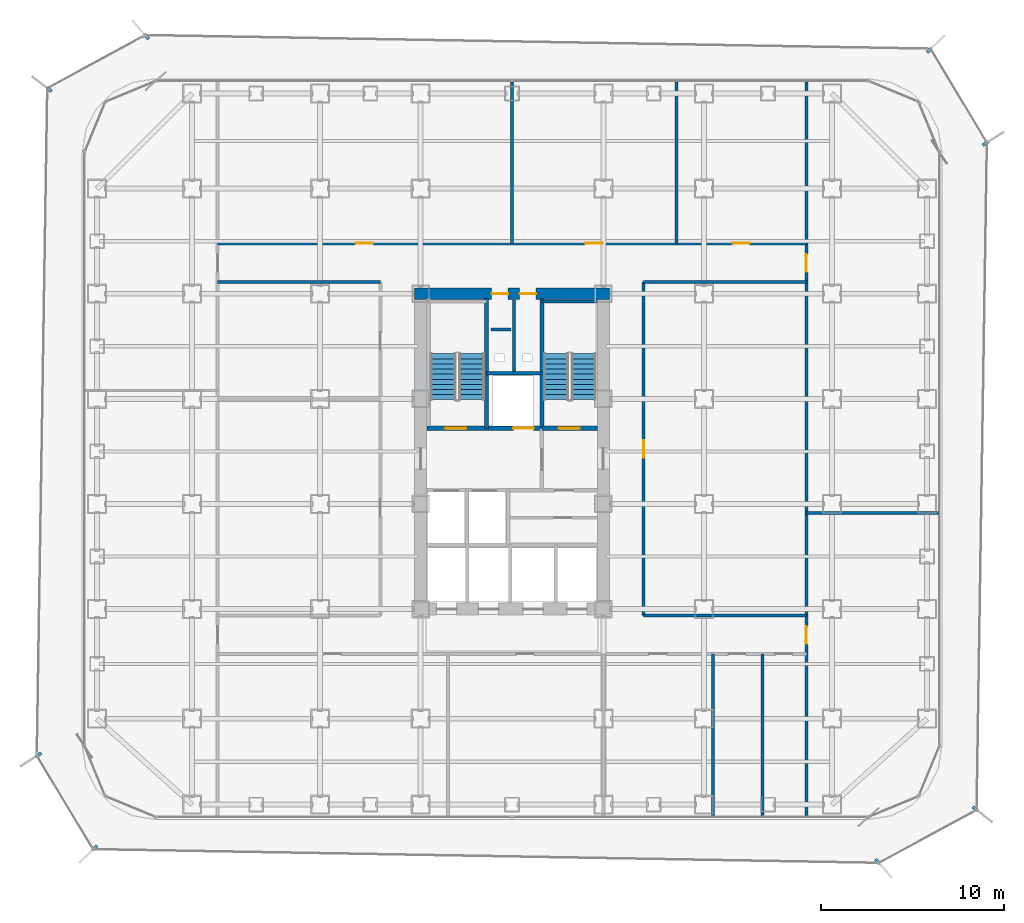
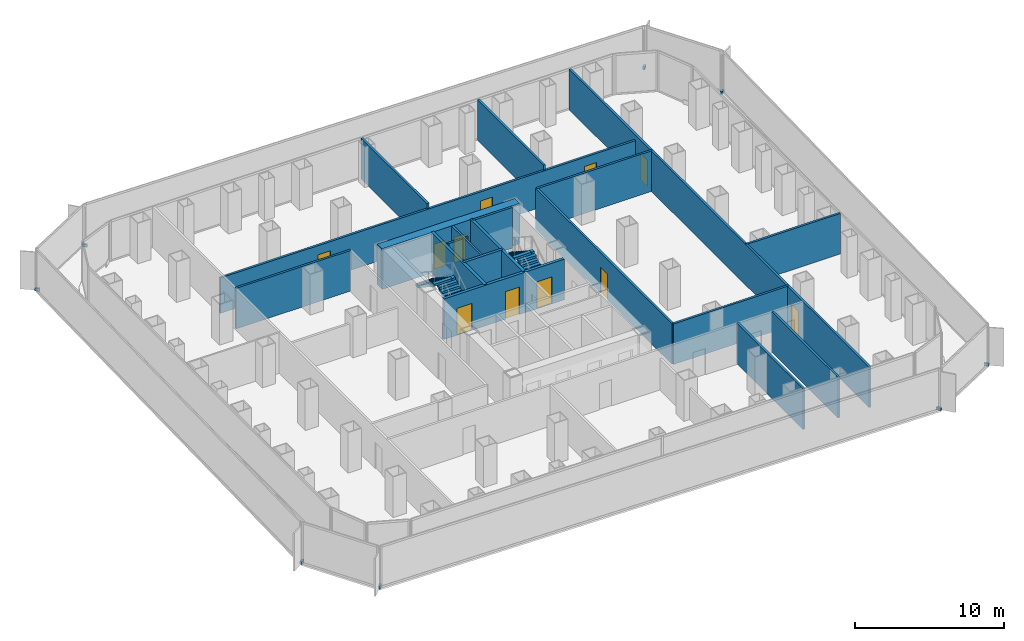
# One storey, part 18 of 21: 20 walls, 11 doors, 8 discrete accessories, 4 stair flights, 11 openings, 2 elements without a shape of their own.
"""IFC4 building model written with IfcOpenShell, lengths in metres."""

import ifcopenshell
import ifcopenshell.guid

model = None  # the IFC model being written
_history = None  # IfcOwnerHistory: only IFC2X3 demands one
_inside = {}  # id of a spatial element -> (the spatial element, [elements in it])
_under = {}  # id of a project, library or spatial element -> (it, [spatial elements below it])
_declared = {}  # id of a project -> (the project, [libraries it declares])
_typed = {}  # id of a type object -> (the type object, [elements of that type])
_made_of = {}  # id of a material, layer set ... -> (it, [elements and type objects made of it])


def new_model(schema):
    """Start an empty IFC model of exactly this schema.

    Asked for "IFC4X3", IfcOpenShell would pick the latest addendum, in which some entities
    have other attributes; the version numbers below select the first issue.
    IFC2X3 requires an IfcOwnerHistory on every rooted entity: one is made here for all.
    """
    global model, _history
    if schema == "IFC4X3":
        model = ifcopenshell.file(schema_version=(4, 3, 0, 0))
    else:
        model = ifcopenshell.file(schema=schema)
    _inside.clear()
    _under.clear()
    _declared.clear()
    _typed.clear()
    _made_of.clear()
    _history = None
    if model.schema == "IFC2X3":
        org = make("IfcOrganization", Name="unknown")
        user = make(
            "IfcPersonAndOrganization",
            ThePerson=make("IfcPerson", FamilyName="unknown"),
            TheOrganization=org,
        )
        app = make(
            "IfcApplication",
            ApplicationDeveloper=org,
            Version="unknown",
            ApplicationFullName="unknown",
            ApplicationIdentifier="unknown",
        )
        _history = make(
            "IfcOwnerHistory",
            OwningUser=user,
            OwningApplication=app,
            ChangeAction="ADDED",
            CreationDate=0,
        )
    return model


def make(cls, **values):
    """One entity of the class cls with the attributes given. An attribute that is None is left unset."""
    return model.create_entity(
        cls, **{name: value for name, value in values.items() if value is not None}
    )


def rooted(cls, **values):
    """An entity with a GlobalId (a new one), such as an element, a storey or a relation."""
    return make(cls, GlobalId=ifcopenshell.guid.new(), OwnerHistory=_history, **values)


def si_unit(unit_type, name, prefix=None):
    """IfcSIUnit, for example si_unit("LENGTHUNIT", "METRE", prefix="MILLI")."""
    return make("IfcSIUnit", UnitType=unit_type, Prefix=prefix, Name=name)


def assignment(units):
    """IfcUnitAssignment: the units of a project."""
    return None if units is None else make("IfcUnitAssignment", Units=units)


def point(xyz):
    """IfcCartesianPoint."""
    return None if xyz is None else make("IfcCartesianPoint", Coordinates=xyz)


def direction(xyz):
    """IfcDirection."""
    return None if xyz is None else make("IfcDirection", DirectionRatios=xyz)


def frame(location, z_axis=None, x_axis=None):
    """IfcAxis2Placement3D, a coordinate frame: its origin and axes. An axis left out is left unset."""
    return make(
        "IfcAxis2Placement3D",
        Location=point(location),
        Axis=direction(z_axis),
        RefDirection=direction(x_axis),
    )


def frame_2d(location, x_axis=None):
    """IfcAxis2Placement2D, a coordinate frame in the plane: its origin and x axis."""
    return make(
        "IfcAxis2Placement2D", Location=point(location), RefDirection=direction(x_axis)
    )


def origin():
    """The frame at (0, 0, 0) with its axes left unset."""
    return frame((0.0, 0.0, 0.0))


def origin_2d():
    """The frame at (0, 0) in the plane with its x axis left unset."""
    return frame_2d((0.0, 0.0))


def place(relative_to, where):
    """IfcLocalPlacement: puts the frame where relative to a parent placement (None: the world)."""
    return make(
        "IfcLocalPlacement", PlacementRelTo=relative_to, RelativePlacement=where
    )


def context(
    kind, dimensions, precision=None, world=None, true_north=None, identifier=None
):
    """IfcGeometricRepresentationContext, for example the 3D "Model" context."""
    return make(
        "IfcGeometricRepresentationContext",
        ContextIdentifier=identifier,
        ContextType=kind,
        CoordinateSpaceDimension=dimensions,
        Precision=precision,
        WorldCoordinateSystem=world,
        TrueNorth=true_north,
    )


def subcontext(parent, identifier, kind, view, scale=None):
    """IfcGeometricRepresentationSubContext, for example "Body" below "Model"."""
    return make(
        "IfcGeometricRepresentationSubContext",
        ContextIdentifier=identifier,
        ContextType=kind,
        ParentContext=parent,
        TargetScale=scale,
        TargetView=view,
    )


def project(units=None, contexts=None):
    """IfcProject with its units and contexts."""
    return rooted(
        "IfcProject",
        Name="project",
        RepresentationContexts=contexts,
        UnitsInContext=assignment(units),
    )


def spatial(cls, under=None, at=None, **own):
    """A site, building, storey or space (cls), placed at a placement, below another one or the project."""
    s = rooted(cls, ObjectPlacement=at, **own)
    if under is not None:
        _under.setdefault(under.id(), (under, []))[1].append(s)
    return s


def polyline(points):
    """IfcPolyline through the points."""
    return make("IfcPolyline", Points=[point(p) for p in points])


def profile(cls, at=None, kind="AREA", **sizes):
    """A parametric profile (cls). Its sizes go by their IFC names, for example OverallWidth=200.0."""
    return make(cls, ProfileType=kind, Position=at, **sizes)


def rectangle(**sizes):
    """IfcRectangleProfileDef."""
    return profile("IfcRectangleProfileDef", **sizes)


def outline(outer, holes=None, kind="AREA"):
    """IfcArbitraryClosedProfileDef: a profile drawn as a closed curve; with holes, ...WithVoids."""
    if holes is None:
        return make("IfcArbitraryClosedProfileDef", ProfileType=kind, OuterCurve=outer)
    return make(
        "IfcArbitraryProfileDefWithVoids",
        ProfileType=kind,
        OuterCurve=outer,
        InnerCurves=holes,
    )


def extrude(swept, where, along, depth):
    """IfcExtrudedAreaSolid: the profile swept, set in the frame where, extruded along a direction by depth."""
    return make(
        "IfcExtrudedAreaSolid",
        SweptArea=swept,
        Position=where,
        ExtrudedDirection=direction(along),
        Depth=depth,
    )


def shape(context_of_items, identifier, shape_type, items):
    """IfcShapeRepresentation: the items that make up one representation, for example the "Body"."""
    return make(
        "IfcShapeRepresentation",
        ContextOfItems=context_of_items,
        RepresentationIdentifier=identifier,
        RepresentationType=shape_type,
        Items=items,
    )


def source(mapping_origin, context_of_items, identifier, shape_type, items):
    """IfcRepresentationMap: a shape defined once, which mapped items show again and again."""
    return make(
        "IfcRepresentationMap",
        MappingOrigin=mapping_origin,
        MappedRepresentation=shape(context_of_items, identifier, shape_type, items),
    )


def transform(
    local_origin,
    x_axis=None,
    y_axis=None,
    z_axis=None,
    scale=None,
    scale2=None,
    scale3=None,
    uniform=True,
):
    """IfcCartesianTransformationOperator3D, or its non-uniform kind. x_axis, y_axis, z_axis: its Axis1, 2, 3."""
    if uniform:
        return make(
            "IfcCartesianTransformationOperator3D",
            Axis1=direction(x_axis),
            Axis2=direction(y_axis),
            LocalOrigin=point(local_origin),
            Scale=scale,
            Axis3=direction(z_axis),
        )
    return make(
        "IfcCartesianTransformationOperator3DnonUniform",
        Axis1=direction(x_axis),
        Axis2=direction(y_axis),
        LocalOrigin=point(local_origin),
        Scale=scale,
        Axis3=direction(z_axis),
        Scale2=scale2,
        Scale3=scale3,
    )


def mapped(mapping_source, mapping_target):
    """IfcMappedItem: shows the shape of a source again, moved by a transform."""
    return make(
        "IfcMappedItem", MappingSource=mapping_source, MappingTarget=mapping_target
    )


def material(Name=None, Category=None):
    """IfcMaterial."""
    return make("IfcMaterial", Name=Name, Category=Category)


def layer(
    of_material, thickness, ventilated=None, Name=None, Category=None, Priority=None
):
    """IfcMaterialLayer: one layer of a wall or slab, of a material (None: an air gap)."""
    return make(
        "IfcMaterialLayer",
        Material=of_material,
        LayerThickness=thickness,
        IsVentilated=ventilated,
        Name=Name,
        Category=Category,
        Priority=Priority,
    )


def layer_set(layers, Name=None):
    """IfcMaterialLayerSet."""
    return make("IfcMaterialLayerSet", MaterialLayers=layers, LayerSetName=Name)


def made_of(thing, what):
    """Note that an element or type object is made of a material, layer set ...; save() writes the relation."""
    if what is not None:
        _made_of.setdefault(what.id(), (what, []))[1].append(thing)
    return thing


def type_object(cls, material=None, **own):
    """A type object (cls), such as IfcWallType, which elements share."""
    return made_of(rooted(cls, **own), material)


def element(
    cls,
    number,
    at=None,
    inside=None,
    cuts=None,
    type_object=None,
    material=None,
    context=None,
    identifier="Body",
    shape_type=None,
    held_by="IfcProductDefinitionShape",
    body=None,
    shapes=None,
    **own,
):
    """One element of the class cls, such as IfcWall. Its Tag is "e" and its number.

    at: its placement. inside: the storey or other place that contains it. cuts: it is an
    opening in that element (IfcRelVoidsElement). A single representation is given by context,
    identifier, shape_type and body (its items); several are given by shapes. held_by: the class
    of the entity that holds the representations. save() writes the other relations.
    """
    e = rooted(cls, Tag="e%d" % number, ObjectPlacement=at, **own)
    if body is not None:
        shapes = [shape(context, identifier, shape_type, body)]
    if shapes is not None:
        e.Representation = make(held_by, Representations=shapes)
    if inside is not None:
        _inside.setdefault(inside.id(), (inside, []))[1].append(e)
    if cuts is not None:
        rooted(
            "IfcRelVoidsElement", RelatingBuildingElement=cuts, RelatedOpeningElement=e
        )
    if type_object is not None:
        _typed.setdefault(type_object.id(), (type_object, []))[1].append(e)
    return made_of(e, material)


def fill(opening, filler):
    """IfcRelFillsElement: the door or window that sits in an opening."""
    return rooted(
        "IfcRelFillsElement",
        RelatingOpeningElement=opening,
        RelatedBuildingElement=filler,
    )


def aggregate(whole, parts):
    """IfcRelAggregates: a whole, such as a stair, and the parts it consists of."""
    return rooted("IfcRelAggregates", RelatingObject=whole, RelatedObjects=parts)


def save(model, path):
    """Write the relations noted so far, then the file.

    IfcRelAggregates (storeys below a building ...), IfcRelContainedInSpatialStructure (elements
    in a storey), IfcRelDefinesByType, IfcRelAssociatesMaterial and IfcRelDeclares: one each for
    every whole, place, type object, material and project.
    """
    for whole, parts in _under.values():
        aggregate(whole, parts)
    for where, things in _inside.values():
        rooted(
            "IfcRelContainedInSpatialStructure",
            RelatedElements=things,
            RelatingStructure=where,
        )
    for kind, things in _typed.values():
        rooted("IfcRelDefinesByType", RelatedObjects=things, RelatingType=kind)
    for what, things in _made_of.values():
        rooted("IfcRelAssociatesMaterial", RelatedObjects=things, RelatingMaterial=what)
    for by, libraries in _declared.values():
        rooted("IfcRelDeclares", RelatingContext=by, RelatedDefinitions=libraries)
    model.write(path)


model = new_model("IFC4")

# Units and contexts
model_context = context("Model", 3, precision=1e-05, world=origin(), true_north=direction((0.0, 1.0)))
body_context = subcontext(model_context, "Body", "Model", "MODEL_VIEW")
ifc_project = project(units=[si_unit("LENGTHUNIT", "METRE"), si_unit("AREAUNIT", "SQUARE_METRE"), si_unit("VOLUMEUNIT", "CUBIC_METRE"), si_unit("PLANEANGLEUNIT", "RADIAN"), si_unit("MASSUNIT", "GRAM", prefix="KILO")], contexts=[model_context])

# Site, building, storey
site_placement = place(None, origin())
site = spatial("IfcSite", under=ifc_project, at=site_placement, CompositionType="ELEMENT")
building_placement = place(site_placement, origin())
building = spatial("IfcBuilding", under=site, at=building_placement, Name="Kolveth Station Tower", CompositionType="ELEMENT")
storey_placement = place(building_placement, frame((0.0, 0.0, 36.89990234375)))
storey = spatial("IfcBuildingStorey", under=building, at=storey_placement, Name="L09", CompositionType="ELEMENT", Elevation=36.89990234375)

# Wall, openings, doors
ifc_material_1 = material(Name="Concrete C60/75", Category="concrete")
ifc_layer_1 = layer(ifc_material_1, 0.64990234375)
ifc_layer_set_1 = layer_set([ifc_layer_1], Name="Concrete C60/75")
wall_type_1 = type_object("IfcWallType", Name="Wall_CW-650", PredefinedType="SHEAR", material=ifc_layer_set_1)
wall_1_placement = place(storey_placement, frame((18.175048828125, 28.75, 0.0), z_axis=(0.0, 0.0, 1.0), x_axis=(1.0, 0.0, 0.0)))
wall_1 = element("IfcWall", 1, at=wall_1_placement, inside=storey, type_object=wall_type_1, Name="L09 Core RC Shear Wall N", PredefinedType="SHEAR", context=body_context, shape_type="SweptSolid", body=[
    extrude(rectangle(XDim=10.64990234375, YDim=0.64990234375, at=frame_2d((5.324951171875, 0.0))), origin(), (0.0, 0.0, 1.0), 3.320068359375),
])
opening_1_placement = place(wall_1_placement, frame((4.205078125, 0.0, 0.0)))
opening_1 = element("IfcOpeningElement", 2, at=opening_1_placement, cuts=wall_1, Name="Opening RD1", PredefinedType="OPENING", context=body_context, shape_type="SweptSolid", body=[
    extrude(rectangle(XDim=0.89990234375, YDim=2.050048828125, at=frame_2d((0.449951171875, 1.02490234375))), frame((0.0, 0.3349609375, 0.0), z_axis=(0.0, -1.0, 0.0), x_axis=(1.0, 0.0, 0.0)), (0.0, 0.0, 1.0), 0.669921875),
])
opening_2_placement = place(wall_1_placement, frame((5.7451171875, 0.0, 0.0)))
opening_2 = element("IfcOpeningElement", 3, at=opening_2_placement, cuts=wall_1, Name="Opening RD1", PredefinedType="OPENING", context=body_context, shape_type="SweptSolid", body=[
    extrude(rectangle(XDim=0.89990234375, YDim=2.050048828125, at=frame_2d((0.449951171875, 1.02490234375))), frame((0.0, 0.3349609375, 0.0), z_axis=(0.0, -1.0, 0.0), x_axis=(1.0, 0.0, 0.0)), (0.0, 0.0, 1.0), 0.669921875),
])
ifc_material_2 = material(Name="Fire-rated Steel S355 riser access leaf", Category="steel")
door_type_1 = type_object("IfcDoorType", Name="Door_RD1", OperationType="NOTDEFINED", PredefinedType="DOOR", material=ifc_material_2)
door_1_placement = place(opening_1_placement, origin())
door_1 = element("IfcDoor", 4, at=door_1_placement, inside=storey, type_object=door_type_1, Name="L09 Electrical Riser Access Door", OperationType="SINGLE_SWING_RIGHT", OverallHeight=2.050048828125, OverallWidth=0.89990234375, PredefinedType="DOOR", context=body_context, shape_type="SweptSolid", body=[
    extrude(rectangle(XDim=0.89990234375, YDim=2.050048828125, at=frame_2d((0.449951171875, 1.02490234375))), frame((0.0, 0.02490234375, 0.0), z_axis=(0.0, -1.0, 0.0), x_axis=(1.0, 0.0, 0.0)), (0.0, 0.0, 1.0), 0.050048828125),
])
fill(opening_1, door_1)
door_2_placement = place(opening_2_placement, origin())
door_2 = element("IfcDoor", 5, at=door_2_placement, inside=storey, type_object=door_type_1, Name="L09 Smoke Duct Access Door", OperationType="SINGLE_SWING_LEFT", OverallHeight=2.050048828125, OverallWidth=0.89990234375, PredefinedType="DOOR", context=body_context, shape_type="SweptSolid", body=[
    extrude(rectangle(XDim=0.89990234375, YDim=2.050048828125, at=frame_2d((0.449951171875, 1.02490234375))), frame((0.0, 0.02490234375, 0.0), z_axis=(0.0, -1.0, 0.0), x_axis=(1.0, 0.0, 0.0)), (0.0, 0.0, 1.0), 0.050048828125),
])
fill(opening_2, door_2)

# Walls
ifc_material_3 = material(Name="Acoustic double-stud gypsum partition")
ifc_layer_2 = layer(ifc_material_3, 0.1650390625)
ifc_layer_set_2 = layer_set([ifc_layer_2], Name="Acoustic double-stud gypsum partition")
wall_type_2 = type_object("IfcWallType", Name="Wall_IW-165", PredefinedType="PARTITIONING", material=ifc_layer_set_2)
wall_2_placement = place(storey_placement, frame((25.1298828125, 28.3349609375, 0.0), z_axis=(0.0, 0.0, 1.0), x_axis=(1.0, 0.0, 0.0)))
element("IfcWall", 6, at=wall_2_placement, inside=storey, type_object=wall_type_2, Name="L09 Stair Shaft Wall WL-L09-ST2-N", PredefinedType="PARTITIONING", context=body_context, shape_type="SweptSolid", body=[
    extrude(rectangle(XDim=3.03515625, YDim=0.1650390625, at=frame_2d((1.517578125, 0.0))), origin(), (0.0, 0.0, 1.0), 3.320068359375),
])
wall_3_placement = place(storey_placement, frame((23.6201171875, 24.39990234375, 0.0), z_axis=(0.0, 0.0, 1.0), x_axis=(0.0, 1.0, 0.0)))
element("IfcWall", 7, at=wall_3_placement, inside=storey, type_object=wall_type_2, Name="L09 Partition Wall WL-L09-RSR-M", PredefinedType="PARTITIONING", context=body_context, shape_type="SweptSolid", body=[
    extrude(rectangle(XDim=4.01513671875, YDim=0.1650390625, at=frame_2d((2.007568359375, 0.0))), origin(), (0.0, 0.0, 1.0), 3.320068359375),
])

# Wall, openings, doors
wall_4_placement = place(storey_placement, frame((7.39990234375, 31.5, 0.0), z_axis=(0.0, 0.0, 1.0), x_axis=(1.0, 0.0, 0.0)))
wall_4 = element("IfcWall", 8, at=wall_4_placement, inside=storey, type_object=wall_type_2, Name="L09 Partition Wall WL-L09-ON", PredefinedType="PARTITIONING", context=body_context, shape_type="SweptSolid", body=[
    extrude(rectangle(XDim=32.2001953125, YDim=0.1650390625, at=frame_2d((16.10009765625, 0.0))), origin(), (0.0, 0.0, 1.0), 2.898193359375),
])
opening_3_placement = place(wall_4_placement, frame((7.550048828125, 0.0, 0.0)))
opening_3 = element("IfcOpeningElement", 9, at=opening_3_placement, cuts=wall_4, Name="Opening ID1", PredefinedType="OPENING", context=body_context, shape_type="SweptSolid", body=[
    extrude(rectangle(XDim=0.949951171875, YDim=2.14990234375, at=frame_2d((0.47509765625, 1.074951171875))), frame((0.0, 0.092529296875, 0.0), z_axis=(0.0, -1.0, 0.0), x_axis=(1.0, 0.0, 0.0)), (0.0, 0.0, 1.0), 0.18505859375),
])
opening_4_placement = place(wall_4_placement, frame((20.10009765625, 0.0, 0.0)))
opening_4 = element("IfcOpeningElement", 10, at=opening_4_placement, cuts=wall_4, Name="Opening ID1", PredefinedType="OPENING", context=body_context, shape_type="SweptSolid", body=[
    extrude(rectangle(XDim=0.949951171875, YDim=2.14990234375, at=frame_2d((0.47509765625, 1.074951171875))), frame((0.0, 0.092529296875, 0.0), z_axis=(0.0, -1.0, 0.0), x_axis=(1.0, 0.0, 0.0)), (0.0, 0.0, 1.0), 0.18505859375),
])
opening_5_placement = place(wall_4_placement, frame((28.14990234375, 0.0, 0.0)))
opening_5 = element("IfcOpeningElement", 11, at=opening_5_placement, cuts=wall_4, Name="Opening ID1", PredefinedType="OPENING", context=body_context, shape_type="SweptSolid", body=[
    extrude(rectangle(XDim=0.949951171875, YDim=2.14990234375, at=frame_2d((0.47509765625, 1.074951171875))), frame((0.0, 0.092529296875, 0.0), z_axis=(0.0, -1.0, 0.0), x_axis=(1.0, 0.0, 0.0)), (0.0, 0.0, 1.0), 0.18505859375),
])
ifc_material_4 = material(Name="Acoustic hardwood leaf and aluminium frame", Category="wood")
door_type_2 = type_object("IfcDoorType", Name="Door_ID1", OperationType="NOTDEFINED", PredefinedType="DOOR", material=ifc_material_4)
door_3_placement = place(opening_3_placement, origin())
door_3 = element("IfcDoor", 12, at=door_3_placement, inside=storey, type_object=door_type_2, Name="L09 Training Seminar Room Door", OperationType="SINGLE_SWING_LEFT", OverallHeight=2.14990234375, OverallWidth=0.949951171875, PredefinedType="DOOR", context=body_context, shape_type="SweptSolid", body=[
    extrude(rectangle(XDim=0.949951171875, YDim=2.14990234375, at=frame_2d((0.47509765625, 1.074951171875))), frame((0.0, 0.02490234375, 0.0), z_axis=(0.0, -1.0, 0.0), x_axis=(1.0, 0.0, 0.0)), (0.0, 0.0, 1.0), 0.050048828125),
])
fill(opening_3, door_3)
door_4_placement = place(opening_4_placement, origin())
door_4 = element("IfcDoor", 13, at=door_4_placement, inside=storey, type_object=door_type_2, Name="L09 Project War Room Door", OperationType="SINGLE_SWING_RIGHT", OverallHeight=2.14990234375, OverallWidth=0.949951171875, PredefinedType="DOOR", context=body_context, shape_type="SweptSolid", body=[
    extrude(rectangle(XDim=0.949951171875, YDim=2.14990234375, at=frame_2d((0.47509765625, 1.074951171875))), frame((0.0, 0.02490234375, 0.0), z_axis=(0.0, -1.0, 0.0), x_axis=(1.0, 0.0, 0.0)), (0.0, 0.0, 1.0), 0.050048828125),
])
fill(opening_4, door_4)
door_5_placement = place(opening_5_placement, origin())
door_5 = element("IfcDoor", 14, at=door_5_placement, inside=storey, type_object=door_type_2, Name="L09 Quiet Study Room Door", OperationType="SINGLE_SWING_LEFT", OverallHeight=2.14990234375, OverallWidth=0.949951171875, PredefinedType="DOOR", context=body_context, shape_type="SweptSolid", body=[
    extrude(rectangle(XDim=0.949951171875, YDim=2.14990234375, at=frame_2d((0.47509765625, 1.074951171875))), frame((0.0, 0.02490234375, 0.0), z_axis=(0.0, -1.0, 0.0), x_axis=(1.0, 0.0, 0.0)), (0.0, 0.0, 1.0), 0.050048828125),
])
fill(opening_5, door_5)

# Walls
for number, where, z_axis, x_axis, name in (
    (15, (30.699951171875, 11.14990234375, 0.0), (0.0, 0.0, 1.0), (1.0, 0.0, 0.0), "L09 Partition Wall WL-L09-OSET"),
    (16, (7.39990234375, 29.39990234375, 0.0), (0.0, 0.0, 1.0), (1.0, 0.0, 0.0), "L09 Partition Wall WL-L09-ONWB"),
    (17, (30.699951171875, 29.39990234375, 0.0), (0.0, 0.0, 1.0), (1.0, 0.0, 0.0), "L09 Partition Wall WL-L09-ONEB"),
):
    element("IfcWall", number, at=place(storey_placement, frame(where, z_axis=z_axis, x_axis=x_axis)), inside=storey, type_object=wall_type_2, Name=name, PredefinedType="PARTITIONING", context=body_context, shape_type="SweptSolid", body=[
        extrude(rectangle(XDim=8.900146484375, YDim=0.1650390625, at=frame_2d((4.4501953125, 0.0))), origin(), (0.0, 0.0, 1.0), 3.320068359375),
    ])

# Wall, opening, door
wall_5_placement = place(storey_placement, frame((30.699951171875, 11.14990234375, 0.0), z_axis=(0.0, 0.0, 1.0), x_axis=(0.0, 1.0, 0.0)))
wall_5 = element("IfcWall", 18, at=wall_5_placement, inside=storey, type_object=wall_type_2, Name="L09 Partition Wall WL-L09-OCE", PredefinedType="PARTITIONING", context=body_context, shape_type="SweptSolid", body=[
    extrude(rectangle(XDim=18.25, YDim=0.1650390625, at=frame_2d((9.125, 0.0))), origin(), (0.0, 0.0, 1.0), 3.320068359375),
])
opening_6_placement = place(wall_5_placement, frame((8.625, 0.0, 0.0)))
opening_6 = element("IfcOpeningElement", 19, at=opening_6_placement, cuts=wall_5, Name="Opening ID1", PredefinedType="OPENING", context=body_context, shape_type="SweptSolid", body=[
    extrude(rectangle(XDim=0.949951171875, YDim=2.14990234375, at=frame_2d((0.47509765625, 1.074951171875))), frame((0.0, 0.092529296875, 0.0), z_axis=(0.0, -1.0, 0.0), x_axis=(1.0, 0.0, 0.0)), (0.0, 0.0, 1.0), 0.18505859375),
])
door_6_placement = place(opening_6_placement, origin())
door_6 = element("IfcDoor", 20, at=door_6_placement, inside=storey, type_object=door_type_2, Name="L09 Internal Meeting Room E1 Door", OperationType="SINGLE_SWING_RIGHT", OverallHeight=2.14990234375, OverallWidth=0.949951171875, PredefinedType="DOOR", context=body_context, shape_type="SweptSolid", body=[
    extrude(rectangle(XDim=0.949951171875, YDim=2.14990234375, at=frame_2d((0.47509765625, 1.074951171875))), frame((0.0, 0.02490234375, 0.0), z_axis=(0.0, -1.0, 0.0), x_axis=(1.0, 0.0, 0.0)), (0.0, 0.0, 1.0), 0.050048828125),
])
fill(opening_6, door_6)

# Wall, openings, doors
wall_6_placement = place(storey_placement, frame((39.60009765625, 0.159912109375, 0.0), z_axis=(0.0, 0.0, 1.0), x_axis=(0.0, 1.0, 0.0)))
wall_6 = element("IfcWall", 21, at=wall_6_placement, inside=storey, type_object=wall_type_2, Name="L09 Partition Wall WL-L09-OEEND", PredefinedType="PARTITIONING", context=body_context, shape_type="SweptSolid", body=[
    extrude(rectangle(XDim=40.18017578125, YDim=0.1650390625, at=frame_2d((20.090087890625, 0.0))), origin(), (0.0, 0.0, 1.0), 3.320068359375),
])
opening_7_placement = place(wall_6_placement, frame((9.43994140625, 0.0, 0.0)))
opening_7 = element("IfcOpeningElement", 22, at=opening_7_placement, cuts=wall_6, Name="Opening ID1", PredefinedType="OPENING", context=body_context, shape_type="SweptSolid", body=[
    extrude(rectangle(XDim=0.949951171875, YDim=2.14990234375, at=frame_2d((0.47509765625, 1.074951171875))), frame((0.0, 0.092529296875, 0.0), z_axis=(0.0, -1.0, 0.0), x_axis=(1.0, 0.0, 0.0)), (0.0, 0.0, 1.0), 0.18505859375),
])
opening_8_placement = place(wall_6_placement, frame((29.7900390625, 0.0, 0.0)))
opening_8 = element("IfcOpeningElement", 23, at=opening_8_placement, cuts=wall_6, Name="Opening ID1", PredefinedType="OPENING", context=body_context, shape_type="SweptSolid", body=[
    extrude(rectangle(XDim=0.949951171875, YDim=2.14990234375, at=frame_2d((0.47509765625, 1.074951171875))), frame((0.0, 0.092529296875, 0.0), z_axis=(0.0, -1.0, 0.0), x_axis=(1.0, 0.0, 0.0)), (0.0, 0.0, 1.0), 0.18505859375),
])
door_7_placement = place(opening_7_placement, origin())
door_7 = element("IfcDoor", 24, at=door_7_placement, inside=storey, type_object=door_type_2, Name="L09 East-South Wing Door", OperationType="SINGLE_SWING_LEFT", OverallHeight=2.14990234375, OverallWidth=0.949951171875, PredefinedType="DOOR", context=body_context, shape_type="SweptSolid", body=[
    extrude(rectangle(XDim=0.949951171875, YDim=2.14990234375, at=frame_2d((0.47509765625, 1.074951171875))), frame((0.0, 0.02490234375, 0.0), z_axis=(0.0, -1.0, 0.0), x_axis=(1.0, 0.0, 0.0)), (0.0, 0.0, 1.0), 0.050048828125),
])
fill(opening_7, door_7)
door_8_placement = place(opening_8_placement, origin())
door_8 = element("IfcDoor", 25, at=door_8_placement, inside=storey, type_object=door_type_2, Name="L09 East-North Wing Door", OperationType="SINGLE_SWING_LEFT", OverallHeight=2.14990234375, OverallWidth=0.949951171875, PredefinedType="DOOR", context=body_context, shape_type="SweptSolid", body=[
    extrude(rectangle(XDim=0.949951171875, YDim=2.14990234375, at=frame_2d((0.47509765625, 1.074951171875))), frame((0.0, 0.02490234375, 0.0), z_axis=(0.0, -1.0, 0.0), x_axis=(1.0, 0.0, 0.0)), (0.0, 0.0, 1.0), 0.050048828125),
])
fill(opening_8, door_8)

# Walls
for number, where, z_axis, x_axis, name in (
    (26, (34.5, 0.159912109375, 0.0), (0.0, 0.0, 1.0), (0.0, 1.0, 0.0), "L09 Partition Wall WL-L09-OS-P3"),
    (27, (37.199951171875, 0.159912109375, 0.0), (0.0, 0.0, 1.0), (0.0, 1.0, 0.0), "L09 Partition Wall WL-L09-OS-P4"),
):
    element("IfcWall", number, at=place(storey_placement, frame(where, z_axis=z_axis, x_axis=x_axis)), inside=storey, type_object=wall_type_2, Name=name, PredefinedType="PARTITIONING", context=body_context, shape_type="SweptSolid", body=[
        extrude(rectangle(XDim=8.89013671875, YDim=0.1650390625, at=frame_2d((4.445068359375, 0.0))), origin(), (0.0, 0.0, 1.0), 3.320068359375),
    ])
for number, where, z_axis, x_axis, name in (
    (28, (23.5, 31.5, 0.0), (0.0, 0.0, 1.0), (0.0, 1.0, 0.0), "L09 Partition Wall WL-L09-ON-P1"),
    (29, (32.5, 31.5, 0.0), (0.0, 0.0, 1.0), (0.0, 1.0, 0.0), "L09 Partition Wall WL-L09-ON-P2"),
):
    element("IfcWall", number, at=place(storey_placement, frame(where, z_axis=z_axis, x_axis=x_axis)), inside=storey, type_object=wall_type_2, Name=name, PredefinedType="PARTITIONING", context=body_context, shape_type="SweptSolid", body=[
        extrude(rectangle(XDim=8.840087890625, YDim=0.1650390625, at=frame_2d((4.419921875, 0.0))), origin(), (0.0, 0.0, 1.0), 3.320068359375),
    ])
wall_7_placement = place(storey_placement, frame((39.60009765625, 16.75, 0.0), z_axis=(0.0, 0.0, 1.0), x_axis=(1.0, 0.0, 0.0)))
element("IfcWall", 30, at=wall_7_placement, inside=storey, type_object=wall_type_2, Name="L09 Partition Wall WL-L09-OEM", PredefinedType="PARTITIONING", context=body_context, shape_type="SweptSolid", body=[
    extrude(rectangle(XDim=7.239990234375, YDim=0.1650390625, at=frame_2d((3.6201171875, 0.0))), origin(), (0.0, 0.0, 1.0), 3.320068359375),
])
wall_8_placement = place(storey_placement, frame((22.35009765625, 26.800048828125, 0.0), z_axis=(0.0, 0.0, 1.0), x_axis=(1.0, 0.0, 0.0)))
element("IfcWall", 31, at=wall_8_placement, inside=storey, type_object=wall_type_2, Name="L09 Acoustic Riser Dry-Lining Wall", PredefinedType="PARTITIONING", context=body_context, shape_type="SweptSolid", body=[
    extrude(rectangle(XDim=1.099853515625, YDim=0.1650390625, at=frame_2d((0.5498046875, 0.0))), origin(), (0.0, 0.0, 1.0), 3.320068359375),
])
ifc_material_5 = material(Name="Acoustic fire-rated gypsum blockwork", Category="masonry")
ifc_layer_3 = layer(ifc_material_5, 0.199951171875)
ifc_layer_set_3 = layer_set([ifc_layer_3], Name="Acoustic fire-rated gypsum blockwork")
wall_type_3 = type_object("IfcWallType", Name="Wall_IW-200", PredefinedType="PARTITIONING", material=ifc_layer_set_3)
wall_9_placement = place(storey_placement, frame((22.110107421875, 24.39990234375, 0.0), z_axis=(0.0, 0.0, 1.0), x_axis=(1.0, 0.0, 0.0)))
element("IfcWall", 32, at=wall_9_placement, inside=storey, type_object=wall_type_3, Name="L09 Partition Wall WL-L09-RSR-S", PredefinedType="PARTITIONING", context=body_context, shape_type="SweptSolid", body=[
    extrude(rectangle(XDim=3.019775390625, YDim=0.199951171875, at=frame_2d((1.509765625, 0.0))), origin(), (0.0, 0.0, 1.0), 3.320068359375),
])
ifc_material_6 = material(Name="Concrete C40/50", Category="concrete")
ifc_layer_4 = layer(ifc_material_6, 0.219970703125)
ifc_layer_set_4 = layer_set([ifc_layer_4], Name="Concrete C40/50")
wall_type_4 = type_object("IfcWallType", Name="Wall_IW-220", PredefinedType="SOLIDWALL", material=ifc_layer_set_4)
for number, where, z_axis, x_axis, name in (
    (33, (22.110107421875, 21.389892578125, 0.0), (0.0, 0.0, 1.0), (0.0, 1.0, 0.0), "L09 Stair Shaft Wall WL-L09-ST1-E"),
    (34, (25.1298828125, 21.389892578125, 0.0), (0.0, 0.0, 1.0), (0.0, 1.0, 0.0), "L09 Stair Shaft Wall WL-L09-ST2-W"),
):
    element("IfcWall", number, at=place(storey_placement, frame(where, z_axis=z_axis, x_axis=x_axis)), inside=storey, type_object=wall_type_4, Name=name, PredefinedType="SOLIDWALL", context=body_context, shape_type="SweptSolid", body=[
        extrude(rectangle(XDim=7.110107421875, YDim=0.219970703125, at=frame_2d((3.55517578125, 0.0))), origin(), (0.0, 0.0, 1.0), 3.320068359375),
    ])

# Wall, openings, doors
wall_10_placement = place(storey_placement, frame((18.8349609375, 21.389892578125, 0.0), z_axis=(0.0, 0.0, 1.0), x_axis=(1.0, 0.0, 0.0)))
wall_10 = element("IfcWall", 35, at=wall_10_placement, inside=storey, type_object=wall_type_4, Name="L09 Stair Shaft Wall WL-L09-ST1-S", PredefinedType="SOLIDWALL", context=body_context, shape_type="SweptSolid", body=[
    extrude(rectangle(XDim=6.294921875, YDim=0.219970703125, at=frame_2d((3.1474609375, 0.0))), origin(), (0.0, 0.0, 1.0), 3.320068359375),
])
opening_9_placement = place(wall_10_placement, frame((1.014892578125, 0.0, 0.0)))
opening_9 = element("IfcOpeningElement", 36, at=opening_9_placement, cuts=wall_10, Name="Opening FD1", PredefinedType="OPENING", context=body_context, shape_type="SweptSolid", body=[
    extrude(rectangle(XDim=1.14990234375, YDim=2.199951171875, at=frame_2d((0.574951171875, 1.10009765625))), frame((0.0, 0.119873046875, 0.0), z_axis=(0.0, -1.0, 0.0), x_axis=(1.0, 0.0, 0.0)), (0.0, 0.0, 1.0), 0.239990234375),
])
opening_10_placement = place(wall_10_placement, frame((4.7451171875, 0.0, 0.0)))
opening_10 = element("IfcOpeningElement", 37, at=opening_10_placement, cuts=wall_10, Name="Opening LD1", PredefinedType="OPENING", context=body_context, shape_type="SweptSolid", body=[
    extrude(rectangle(XDim=1.10009765625, YDim=2.25, at=frame_2d((0.550048828125, 1.125))), frame((0.0, 0.119873046875, 0.0), z_axis=(0.0, -1.0, 0.0), x_axis=(1.0, 0.0, 0.0)), (0.0, 0.0, 1.0), 0.239990234375),
])
ifc_material_7 = material(Name="Fire-rated Steel S355 leaf and frame", Category="steel")
door_type_3 = type_object("IfcDoorType", Name="Door_FD1", OperationType="NOTDEFINED", PredefinedType="DOOR", material=ifc_material_7)
door_9_placement = place(opening_9_placement, frame((1.14990234375, 0.0, 0.0), z_axis=(0.0, 0.0, 1.0), x_axis=(-1.0, 0.0, 0.0)))
door_9 = element("IfcDoor", 38, at=door_9_placement, inside=storey, type_object=door_type_3, Name="L09 Stair ST1 Fire Door", OperationType="SINGLE_SWING_LEFT", OverallHeight=2.199951171875, OverallWidth=1.14990234375, PredefinedType="DOOR", context=body_context, shape_type="SweptSolid", body=[
    extrude(rectangle(XDim=1.14990234375, YDim=2.199951171875, at=frame_2d((0.574951171875, 1.10009765625))), frame((0.0, 0.02490234375, 0.0), z_axis=(0.0, -1.0, 0.0), x_axis=(1.0, 0.0, 0.0)), (0.0, 0.0, 1.0), 0.050048828125),
])
fill(opening_9, door_9)
ifc_material_8 = material(Name="Brushed stainless steel sliding landing doors", Category="steel")
door_type_4 = type_object("IfcDoorType", Name="Door_LD1", OperationType="NOTDEFINED", PredefinedType="DOOR", material=ifc_material_8)
door_10_placement = place(opening_10_placement, frame((1.10009765625, 0.0, 0.0), z_axis=(0.0, 0.0, 1.0), x_axis=(-1.0, 0.0, 0.0)))
door_10 = element("IfcDoor", 39, at=door_10_placement, inside=storey, type_object=door_type_4, Name="L09 Service Lift SV1 Landing Door", OperationType="DOUBLE_DOOR_SLIDING", OverallHeight=2.25, OverallWidth=1.10009765625, PredefinedType="DOOR", context=body_context, shape_type="SweptSolid", body=[
    extrude(rectangle(XDim=1.10009765625, YDim=2.25, at=frame_2d((0.550048828125, 1.125))), frame((0.0, 0.02490234375, 0.0), z_axis=(0.0, -1.0, 0.0), x_axis=(1.0, 0.0, 0.0)), (0.0, 0.0, 1.0), 0.050048828125),
])
fill(opening_10, door_10)

# Wall, opening, door
wall_11_placement = place(storey_placement, frame((25.1298828125, 21.389892578125, 0.0), z_axis=(0.0, 0.0, 1.0), x_axis=(1.0, 0.0, 0.0)))
wall_11 = element("IfcWall", 40, at=wall_11_placement, inside=storey, type_object=wall_type_4, Name="L09 Stair Shaft Wall WL-L09-ST2-S", PredefinedType="SOLIDWALL", context=body_context, shape_type="SweptSolid", body=[
    extrude(rectangle(XDim=3.03515625, YDim=0.219970703125, at=frame_2d((1.517578125, 0.0))), origin(), (0.0, 0.0, 1.0), 3.320068359375),
])
opening_11_placement = place(wall_11_placement, frame((0.919921875, 0.0, 0.0)))
opening_11 = element("IfcOpeningElement", 41, at=opening_11_placement, cuts=wall_11, Name="Opening FD1", PredefinedType="OPENING", context=body_context, shape_type="SweptSolid", body=[
    extrude(rectangle(XDim=1.14990234375, YDim=2.199951171875, at=frame_2d((0.574951171875, 1.10009765625))), frame((0.0, 0.119873046875, 0.0), z_axis=(0.0, -1.0, 0.0), x_axis=(1.0, 0.0, 0.0)), (0.0, 0.0, 1.0), 0.239990234375),
])
door_11_placement = place(opening_11_placement, frame((1.14990234375, 0.0, 0.0), z_axis=(0.0, 0.0, 1.0), x_axis=(-1.0, 0.0, 0.0)))
door_11 = element("IfcDoor", 42, at=door_11_placement, inside=storey, type_object=door_type_3, Name="L09 Stair ST2 Fire Door", OperationType="SINGLE_SWING_RIGHT", OverallHeight=2.199951171875, OverallWidth=1.14990234375, PredefinedType="DOOR", context=body_context, shape_type="SweptSolid", body=[
    extrude(rectangle(XDim=1.14990234375, YDim=2.199951171875, at=frame_2d((0.574951171875, 1.10009765625))), frame((0.0, 0.02490234375, 0.0), z_axis=(0.0, -1.0, 0.0), x_axis=(1.0, 0.0, 0.0)), (0.0, 0.0, 1.0), 0.050048828125),
])
fill(opening_11, door_11)

# Stair, stair flights
stair_type_1 = type_object("IfcStairType", Name="Stair_ST1", PredefinedType="HALF_TURN_STAIR", material=ifc_material_6)
stair_1_placement = place(storey_placement, origin())
stair_1 = element("IfcStair", 43, at=stair_1_placement, inside=storey, type_object=stair_type_1, Name="L09 Tower Exit Stair ST1", PredefinedType="HALF_TURN_STAIR")
ifc_layer_5 = layer(ifc_material_6, 0.179931640625)
ifc_layer_set_5 = layer_set([ifc_layer_5], Name="Concrete C40/50")
stair_flight_type_1 = type_object("IfcStairFlightType", Name="Flight_ST1", PredefinedType="STRAIGHT", material=ifc_layer_set_5)
stair_flight_1_placement = place(storey_placement, frame((21.300048828125, 22.949951171875, 0.0), z_axis=(0.0, 0.0, 1.0), x_axis=(0.0, 1.0, 0.0)))
stair_flight_1 = element("IfcStairFlight", 44, at=stair_flight_1_placement, type_object=stair_flight_type_1, Name="ST1 flight 1", NumberOfRisers=10, NumberOfTreads=9, PredefinedType="STRAIGHT", RiserHeight=0.18, TreadLength=0.28, context=body_context, shape_type="SweptSolid", body=[
    extrude(outline(polyline([(0.0, 0.0), (0.0, 0.179931640625), (0.280029296875, 0.179931640625), (0.280029296875, 0.360107421875), (0.56005859375, 0.360107421875), (0.56005859375, 0.5400390625), (0.840087890625, 0.5400390625), (0.840087890625, 0.719970703125), (1.1201171875, 0.719970703125), (1.1201171875, 0.89990234375), (1.39990234375, 0.89990234375), (1.39990234375, 1.080078125), (1.679931640625, 1.080078125), (1.679931640625, 1.260009765625), (1.9599609375, 1.260009765625), (1.9599609375, 1.43994140625), (2.239990234375, 1.43994140625), (2.239990234375, 1.6201171875), (2.52001953125, 1.6201171875), (2.52001953125, 1.800048828125), (2.52001953125, 1.44189453125), (0.277099609375, 0.0), (0.0, 0.0)])), frame((0.0, 0.699951171875, 0.0), z_axis=(0.0, -1.0, 0.0), x_axis=(1.0, 0.0, 0.0)), (0.0, 0.0, 1.0), 1.39990234375),
])
stair_flight_2_placement = place(storey_placement, frame((19.739990234375, 25.469970703125, 1.800048828125), z_axis=(0.0, 0.0, 1.0), x_axis=(0.0, -1.0, 0.0)))
stair_flight_2 = element("IfcStairFlight", 45, at=stair_flight_2_placement, type_object=stair_flight_type_1, Name="ST1 flight 2", NumberOfRisers=10, NumberOfTreads=9, PredefinedType="STRAIGHT", RiserHeight=0.18, TreadLength=0.28, context=body_context, shape_type="SweptSolid", body=[
    extrude(outline(polyline([(0.0, 0.0), (0.0, 0.179931640625), (0.280029296875, 0.179931640625), (0.280029296875, 0.360107421875), (0.56005859375, 0.360107421875), (0.56005859375, 0.5400390625), (0.840087890625, 0.5400390625), (0.840087890625, 0.719970703125), (1.1201171875, 0.719970703125), (1.1201171875, 0.89990234375), (1.39990234375, 0.89990234375), (1.39990234375, 1.080078125), (1.679931640625, 1.080078125), (1.679931640625, 1.260009765625), (1.9599609375, 1.260009765625), (1.9599609375, 1.43994140625), (2.239990234375, 1.43994140625), (2.239990234375, 1.6201171875), (2.52001953125, 1.6201171875), (2.52001953125, 1.800048828125), (2.52001953125, 1.44189453125), (0.277099609375, 0.0), (0.0, 0.0)])), frame((0.0, 0.699951171875, 0.0), z_axis=(0.0, -1.0, 0.0), x_axis=(1.0, 0.0, 0.0)), (0.0, 0.0, 1.0), 1.39990234375),
])
aggregate(stair_1, [stair_flight_1, stair_flight_2])

stair_type_2 = type_object("IfcStairType", Name="Stair_ST2", PredefinedType="HALF_TURN_STAIR", material=ifc_material_6)
stair_2_placement = place(storey_placement, origin())
stair_2 = element("IfcStair", 46, at=stair_2_placement, inside=storey, type_object=stair_type_2, Name="L09 Tower Exit Stair ST2", PredefinedType="HALF_TURN_STAIR")
ifc_layer_6 = layer(ifc_material_6, 0.179931640625)
ifc_layer_set_6 = layer_set([ifc_layer_6], Name="Concrete C40/50")
stair_flight_type_2 = type_object("IfcStairFlightType", Name="Flight_ST2", PredefinedType="STRAIGHT", material=ifc_layer_set_6)
stair_flight_3_placement = place(storey_placement, frame((27.425048828125, 22.949951171875, 0.0), z_axis=(0.0, 0.0, 1.0), x_axis=(0.0, 1.0, 0.0)))
stair_flight_3 = element("IfcStairFlight", 47, at=stair_flight_3_placement, type_object=stair_flight_type_2, Name="ST2 flight 1", NumberOfRisers=10, NumberOfTreads=9, PredefinedType="STRAIGHT", RiserHeight=0.18, TreadLength=0.28, context=body_context, shape_type="SweptSolid", body=[
    extrude(outline(polyline([(0.0, 0.0), (0.0, 0.179931640625), (0.280029296875, 0.179931640625), (0.280029296875, 0.360107421875), (0.56005859375, 0.360107421875), (0.56005859375, 0.5400390625), (0.840087890625, 0.5400390625), (0.840087890625, 0.719970703125), (1.1201171875, 0.719970703125), (1.1201171875, 0.89990234375), (1.39990234375, 0.89990234375), (1.39990234375, 1.080078125), (1.679931640625, 1.080078125), (1.679931640625, 1.260009765625), (1.9599609375, 1.260009765625), (1.9599609375, 1.43994140625), (2.239990234375, 1.43994140625), (2.239990234375, 1.6201171875), (2.52001953125, 1.6201171875), (2.52001953125, 1.800048828125), (2.52001953125, 1.44189453125), (0.277099609375, 0.0), (0.0, 0.0)])), frame((0.0, 0.675048828125, 0.0), z_axis=(0.0, -1.0, 0.0), x_axis=(1.0, 0.0, 0.0)), (0.0, 0.0, 1.0), 1.35009765625),
])
stair_flight_4_placement = place(storey_placement, frame((25.9150390625, 25.469970703125, 1.800048828125), z_axis=(0.0, 0.0, 1.0), x_axis=(0.0, -1.0, 0.0)))
stair_flight_4 = element("IfcStairFlight", 48, at=stair_flight_4_placement, type_object=stair_flight_type_2, Name="ST2 flight 2", NumberOfRisers=10, NumberOfTreads=9, PredefinedType="STRAIGHT", RiserHeight=0.18, TreadLength=0.28, context=body_context, shape_type="SweptSolid", body=[
    extrude(outline(polyline([(0.0, 0.0), (0.0, 0.179931640625), (0.280029296875, 0.179931640625), (0.280029296875, 0.360107421875), (0.56005859375, 0.360107421875), (0.56005859375, 0.5400390625), (0.840087890625, 0.5400390625), (0.840087890625, 0.719970703125), (1.1201171875, 0.719970703125), (1.1201171875, 0.89990234375), (1.39990234375, 0.89990234375), (1.39990234375, 1.080078125), (1.679931640625, 1.080078125), (1.679931640625, 1.260009765625), (1.9599609375, 1.260009765625), (1.9599609375, 1.43994140625), (2.239990234375, 1.43994140625), (2.239990234375, 1.6201171875), (2.52001953125, 1.6201171875), (2.52001953125, 1.800048828125), (2.52001953125, 1.44189453125), (0.277099609375, 0.0), (0.0, 0.0)])), frame((0.0, 0.675048828125, 0.0), z_axis=(0.0, -1.0, 0.0), x_axis=(1.0, 0.0, 0.0)), (0.0, 0.0, 1.0), 1.35009765625),
])
aggregate(stair_2, [stair_flight_3, stair_flight_4])

# Discrete accessories
ifc_material_9 = material(Name="Steel S355", Category="steel")
discrete_accessory_type = type_object("IfcDiscreteAccessoryType", Name="Bracket_BK1", PredefinedType="BRACKET", material=ifc_material_9)
shared_shape = source(origin(), body_context, "Body", "SweptSolid", [
    extrude(rectangle(XDim=0.35009765625, YDim=0.159912109375, at=origin_2d()), origin(), (0.0, 0.0, 1.0), 0.219970703125),
])
for number, where, z_axis, x_axis, name in (
    (49, (43.501953125, -2.31494140625, -0.06005859375), (0.0, 0.0, 1.0), (0.66327338299, -0.748377190605, 0.0), "L09 Double-Skin Radial Tie Bracket 1"),
    (50, (48.843017578125, 0.572021484375, -0.06005859375), (0.0, 0.0, 1.0), (0.789833986695, -0.613320693815, 0.0), "L09 Double-Skin Radial Tie Bracket 2"),
    (51, (49.39990234375, 36.967041015625, -0.06005859375), (0.0, 0.0, 1.0), (0.840188215011, 0.542294904417, 0.0), "L09 Double-Skin Radial Tie Bracket 3"),
    (52, (46.333984375, 42.076904296875, -0.06005859375), (0.0, 0.0, 1.0), (0.722846553171, 0.691008582124, 0.0), "L09 Double-Skin Radial Tie Bracket 4"),
    (53, (3.498046875, 42.81298828125, -0.06005859375), (0.0, 0.0, 1.0), (-0.663403989347, 0.748261416163, 0.0), "L09 Double-Skin Radial Tie Bracket 5"),
    (54, (-1.8359375, 39.925048828125, -0.06005859375), (0.0, 0.0, 1.0), (-0.789833986695, 0.613320693815, 0.0), "L09 Double-Skin Radial Tie Bracket 6"),
    (55, (-2.404052734375, 3.531982421875, -0.06005859375), (0.0, 0.0, 1.0), (-0.840188215011, -0.542294904417, 0.0), "L09 Double-Skin Radial Tie Bracket 7"),
    (56, (0.66796875, -1.573974609375, -0.06005859375), (0.0, 0.0, 1.0), (-0.722846553171, -0.691008582124, 0.0), "L09 Double-Skin Radial Tie Bracket 8"),
):
    element("IfcDiscreteAccessory", number, at=place(storey_placement, frame(where, z_axis=z_axis, x_axis=x_axis)), inside=storey, type_object=discrete_accessory_type, Name=name, PredefinedType="BRACKET", context=body_context, shape_type="MappedRepresentation", body=[
        mapped(shared_shape, transform((0.0, 0.0, 0.0), x_axis=(1.0, 0.0, 0.0), y_axis=(0.0, 1.0, 0.0), z_axis=(0.0, 0.0, 1.0), scale=1.0)),
    ])

save(model, "model.ifc")
